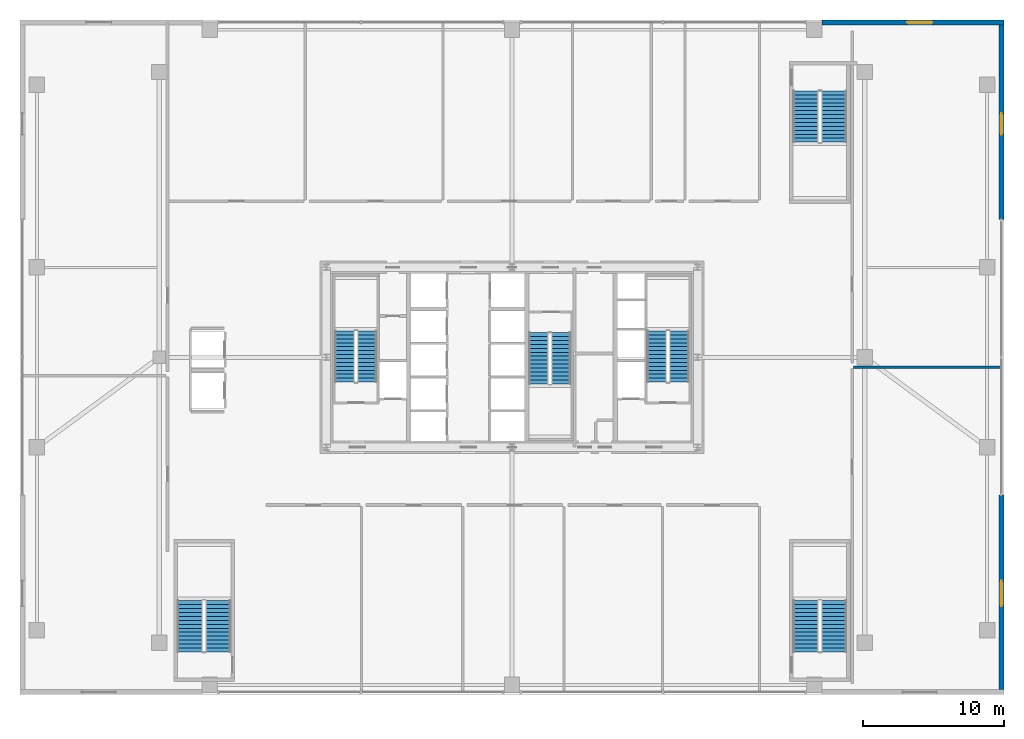
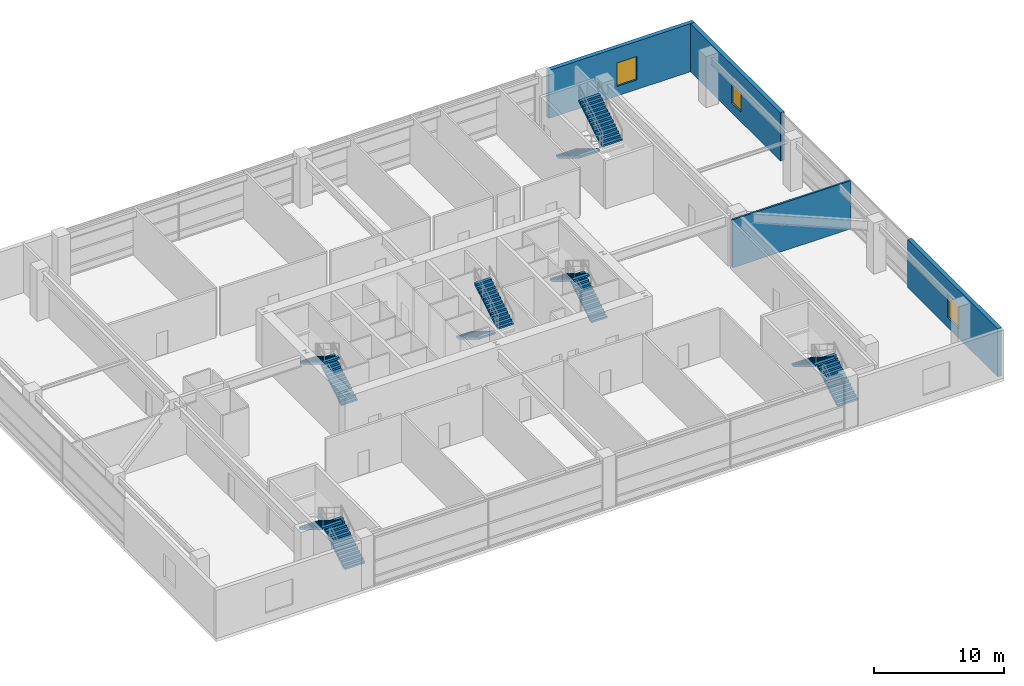
# One storey, part 36 of 39: 12 stair flights, 4 walls, 3 windows, 3 openings, 6 elements without a shape of their own.
"""IFC4 building model written with IfcOpenShell, lengths in metres."""

from ifc_helpers import new_model, si_unit, direction, frame, frame_2d, origin, place, context, subcontext, project, spatial, polyline, rectangle, outline, extrude, source, transform, mapped, material, layer, layer_set, type_object, element, fill, aggregate, save


model = new_model("IFC4")

# Units and contexts
model_context = context("Model", 3, precision=1e-05, world=origin(), true_north=direction((0.0, 1.0)))
body_context = subcontext(model_context, "Body", "Model", "MODEL_VIEW")
ifc_project = project(units=[si_unit("LENGTHUNIT", "METRE"), si_unit("AREAUNIT", "SQUARE_METRE"), si_unit("VOLUMEUNIT", "CUBIC_METRE"), si_unit("PLANEANGLEUNIT", "RADIAN"), si_unit("MASSUNIT", "GRAM", prefix="KILO"), si_unit("THERMODYNAMICTEMPERATUREUNIT", "KELVIN"), si_unit("POWERUNIT", "WATT")], contexts=[model_context])

# Site, building, storey
site_placement = place(None, origin())
site = spatial("IfcSite", under=ifc_project, at=site_placement, CompositionType="ELEMENT")
building_placement = place(site_placement, origin())
building = spatial("IfcBuilding", under=site, at=building_placement, Name="Yuzanri Waterfront Tower", CompositionType="ELEMENT")
storey_placement = place(building_placement, frame((0.0, 0.0, 15.0)))
storey = spatial("IfcBuildingStorey", under=building, at=storey_placement, Name="L04", CompositionType="ELEMENT", Elevation=15.0)

# Wall, opening, window
ifc_material_1 = material(Name="Honed Chongqing Dark Basalt Stone", Category="masonry")
ifc_layer_1 = layer(ifc_material_1, 0.360107421875)
ifc_layer_set_1 = layer_set([ifc_layer_1], Name="Honed Chongqing Dark Basalt Stone")
wall_type_1 = type_object("IfcWallType", Name="Honed Basalt Stone Masonry-Frame Spandrel Wall 360", PredefinedType="SOLIDWALL", material=ifc_layer_set_1)
wall_1_placement = place(storey_placement, frame((59.070068359375, 49.6201171875, 0.0), z_axis=(0.0, 0.0, 1.0), x_axis=(1.0, 0.0, 0.0)))
wall_1 = element("IfcWall", 1, at=wall_1_placement, inside=storey, type_object=wall_type_1, Name="L04 North-East Basalt Wall", PredefinedType="SOLIDWALL", context=body_context, shape_type="SweptSolid", body=[
    extrude(rectangle(XDim=12.929931640625, YDim=0.360107421875, at=frame_2d((6.46484375, 0.0))), origin(), (0.0, 0.0, 1.0), 4.52001953125),
])
opening_1_placement = place(wall_1_placement, frame((6.030029296875, 0.0, 0.89990234375)))
opening_1 = element("IfcOpeningElement", 2, at=opening_1_placement, cuts=wall_1, Name="Opening WN-01", PredefinedType="OPENING", context=body_context, shape_type="SweptSolid", body=[
    extrude(rectangle(XDim=1.800048828125, YDim=2.199951171875, at=frame_2d((0.89990234375, 1.10009765625))), frame((0.0, 0.19482421875, 0.0), z_axis=(0.0, -1.0, 0.0), x_axis=(1.0, 0.0, 0.0)), (0.0, 0.0, 1.0), 0.389892578125),
])
ifc_material_2 = material(Name="Double-Silver Low-E Insulated Glass", Category="glass")
window_type_1 = type_object("IfcWindowType", Name="Anodized Bronze Recessed Bronze Frame Double Casement Window 1800x2200", PartitioningType="SINGLE_PANEL", PredefinedType="WINDOW", material=ifc_material_2)
shared_shape_1 = source(origin(), body_context, "Body", "SweptSolid", [
    extrude(rectangle(XDim=1.800048828125, YDim=2.199951171875, at=frame_2d((0.89990234375, 1.10009765625))), frame((0.0, 0.030029296875, 0.0), z_axis=(0.0, -1.0, 0.0), x_axis=(1.0, 0.0, 0.0)), (0.0, 0.0, 1.0), 0.06005859375),
])
window_1_placement = place(opening_1_placement, origin())
window_1 = element("IfcWindow", 3, at=window_1_placement, inside=storey, type_object=window_type_1, Name="L04 NE Casement Window", OverallHeight=2.199951171875, OverallWidth=1.800048828125, PartitioningType="SINGLE_PANEL", PredefinedType="WINDOW", context=body_context, shape_type="MappedRepresentation", body=[
    mapped(shared_shape_1, transform((0.0, 0.0, 0.0), scale=1.0)),
])
fill(opening_1, window_1)

wall_2_placement = place(storey_placement, frame((71.820068359375, 2.159912109375, 0.0), z_axis=(0.0, 0.0, 1.0), x_axis=(0.0, 1.0, 0.0)))
wall_2 = element("IfcWall", 4, at=wall_2_placement, inside=storey, type_object=wall_type_1, Name="L04 E South Basalt Pier", PredefinedType="SOLIDWALL", context=body_context, shape_type="SweptSolid", body=[
    extrude(rectangle(XDim=13.840087890625, YDim=0.360107421875, at=frame_2d((6.919921875, 0.0))), origin(), (0.0, 0.0, 1.0), 4.52001953125),
])
opening_2_placement = place(wall_2_placement, frame((5.93994140625, 0.0, 0.89990234375)))
opening_2 = element("IfcOpeningElement", 5, at=opening_2_placement, cuts=wall_2, Name="Opening WN-01", PredefinedType="OPENING", context=body_context, shape_type="SweptSolid", body=[
    extrude(rectangle(XDim=1.800048828125, YDim=2.199951171875, at=frame_2d((0.89990234375, 1.10009765625))), frame((0.0, 0.19482421875, 0.0), z_axis=(0.0, -1.0, 0.0), x_axis=(1.0, 0.0, 0.0)), (0.0, 0.0, 1.0), 0.389892578125),
])
window_2_placement = place(opening_2_placement, origin())
window_2 = element("IfcWindow", 6, at=window_2_placement, inside=storey, type_object=window_type_1, Name="L04 ES Window", OverallHeight=2.199951171875, OverallWidth=1.800048828125, PartitioningType="SINGLE_PANEL", PredefinedType="WINDOW", context=body_context, shape_type="MappedRepresentation", body=[
    mapped(shared_shape_1, transform((0.0, 0.0, 0.0), scale=1.0)),
])
fill(opening_2, window_2)

wall_3_placement = place(storey_placement, frame((71.820068359375, 35.60009765625, 0.0), z_axis=(0.0, 0.0, 1.0), x_axis=(0.0, 1.0, 0.0)))
wall_3 = element("IfcWall", 7, at=wall_3_placement, inside=storey, type_object=wall_type_1, Name="L04 E North Basalt Pier", PredefinedType="SOLIDWALL", context=body_context, shape_type="SweptSolid", body=[
    extrude(rectangle(XDim=13.83984375, YDim=0.360107421875, at=frame_2d((6.919921875, 0.0))), origin(), (0.0, 0.0, 1.0), 4.52001953125),
])
opening_3_placement = place(wall_3_placement, frame((6.050048828125, 0.0, 0.89990234375)))
opening_3 = element("IfcOpeningElement", 8, at=opening_3_placement, cuts=wall_3, Name="Opening WN-04", PredefinedType="OPENING", context=body_context, shape_type="SweptSolid", body=[
    extrude(rectangle(XDim=1.5, YDim=1.800048828125, at=frame_2d((0.75, 0.89990234375))), frame((0.0, 0.19482421875, 0.0), z_axis=(0.0, -1.0, 0.0), x_axis=(1.0, 0.0, 0.0)), (0.0, 0.0, 1.0), 0.389892578125),
])
ifc_material_3 = material(Name="Double-Silver Low-E Insulated Glass", Category="glass")
window_type_2 = type_object("IfcWindowType", Name="Anodized Bronze Suite Operable Tilt-Turn Window 1500x1800", PartitioningType="SINGLE_PANEL", PredefinedType="WINDOW", material=ifc_material_3)
shared_shape_2 = source(origin(), body_context, "Body", "SweptSolid", [
    extrude(rectangle(XDim=1.5, YDim=1.800048828125, at=frame_2d((0.75, 0.89990234375))), frame((0.0, 0.030029296875, 0.0), z_axis=(0.0, -1.0, 0.0), x_axis=(1.0, 0.0, 0.0)), (0.0, 0.0, 1.0), 0.06005859375),
])
window_3_placement = place(opening_3_placement, origin())
window_3 = element("IfcWindow", 9, at=window_3_placement, inside=storey, type_object=window_type_2, Name="L04 EN Window", OverallHeight=1.800048828125, OverallWidth=1.5, PartitioningType="SINGLE_PANEL", PredefinedType="WINDOW", context=body_context, shape_type="MappedRepresentation", body=[
    mapped(shared_shape_2, transform((0.0, 0.0, 0.0), scale=1.0)),
])
fill(opening_3, window_3)

# Wall
ifc_material_4 = material(Name="Gypsum Fireboard Acoustic Stud Wall", Category="gypsum")
ifc_layer_2 = layer(ifc_material_4, 0.159912109375)
ifc_layer_set_2 = layer_set([ifc_layer_2], Name="Gypsum Fireboard Acoustic Stud Wall")
wall_type_2 = type_object("IfcWallType", Name="Acoustic Suite Demising Partition 160", PredefinedType="PARTITIONING", material=ifc_layer_set_2)
shared_shape_3 = source(origin(), body_context, "Body", "SweptSolid", [
    extrude(rectangle(XDim=10.52001953125, YDim=0.159912109375, at=frame_2d((5.260009765625, 0.0))), origin(), (0.0, 0.0, 1.0), 4.52001953125),
])
wall_4_placement = place(storey_placement, frame((61.300048828125, 25.10009765625, 0.0), z_axis=(0.0, 0.0, 1.0), x_axis=(1.0, 0.0, 0.0)))
element("IfcWall", 10, at=wall_4_placement, inside=storey, type_object=wall_type_2, Name="L04-033 North Partition", PredefinedType="PARTITIONING", context=body_context, shape_type="MappedRepresentation", body=[
    mapped(shared_shape_3, transform((0.0, 0.0, 0.0), scale=1.0)),
])

# Stair, stair flights
ifc_material_5 = material(Name="Concrete C40", Category="concrete")
stair_type_1 = type_object("IfcStairType", Name="Concrete C40 Core Dogleg Exit Stair", PredefinedType="HALF_TURN_STAIR", material=ifc_material_5)
stair_1_placement = place(storey_placement, origin())
stair_1 = element("IfcStair", 11, at=stair_1_placement, inside=storey, type_object=stair_type_1, Name="L04 Smoke-Proof Core Stair ST-01", PredefinedType="HALF_TURN_STAIR")
ifc_material_6 = material(Name="Concrete C40", Category="concrete")
stair_flight_type_1 = type_object("IfcStairFlightType", Name="Concrete C40 Tall-Storey Precast Stair Flight 1380", PredefinedType="STRAIGHT", material=ifc_material_6)
shared_shape_4 = source(origin(), body_context, "Body", "SweptSolid", [
    extrude(outline(polyline([(0.0, 0.0), (0.0, 0.17138671875), (0.280029296875, 0.17138671875), (0.280029296875, 0.3427734375), (0.56005859375, 0.3427734375), (0.56005859375, 0.514404296875), (0.840087890625, 0.514404296875), (0.840087890625, 0.685791015625), (1.1201171875, 0.685791015625), (1.1201171875, 0.857177734375), (1.39990234375, 0.857177734375), (1.39990234375, 1.028564453125), (1.679931640625, 1.028564453125), (1.679931640625, 1.199951171875), (1.9599609375, 1.199951171875), (1.9599609375, 1.371337890625), (2.239990234375, 1.371337890625), (2.239990234375, 1.54296875), (2.52001953125, 1.54296875), (2.52001953125, 1.71435546875), (2.800048828125, 1.71435546875), (2.800048828125, 1.8857421875), (3.080078125, 1.8857421875), (3.080078125, 2.05712890625), (3.360107421875, 2.05712890625), (3.360107421875, 2.228515625), (3.639892578125, 2.228515625), (3.639892578125, 2.39990234375), (3.639892578125, 2.052734375), (0.287109375, 0.0), (0.0, 0.0)])), frame((0.0, 0.699951171875, 0.0), z_axis=(0.0, -1.0, 0.0), x_axis=(1.0, 0.0, 0.0)), (0.0, 0.0, 1.0), 1.39990234375),
])
stair_flight_1_placement = place(storey_placement, frame((26.699951171875, 24.0400390625, 0.0), z_axis=(0.0, 0.0, 1.0), x_axis=(0.0, 1.0, 0.0)))
stair_flight_1 = element("IfcStairFlight", 12, at=stair_flight_1_placement, type_object=stair_flight_type_1, Name="ST-01 flight 1", NumberOfRisers=14, NumberOfTreads=13, PredefinedType="STRAIGHT", RiserHeight=0.171428571, TreadLength=0.28, context=body_context, shape_type="MappedRepresentation", body=[
    mapped(shared_shape_4, transform((0.0, 0.0, 0.0), scale=1.0)),
])
stair_flight_2_placement = place(storey_placement, frame((25.10009765625, 27.679931640625, 2.39990234375), z_axis=(0.0, 0.0, 1.0), x_axis=(0.0, -1.0, 0.0)))
stair_flight_2 = element("IfcStairFlight", 13, at=stair_flight_2_placement, type_object=stair_flight_type_1, Name="ST-01 flight 2", NumberOfRisers=14, NumberOfTreads=13, PredefinedType="STRAIGHT", RiserHeight=0.171428571, TreadLength=0.28, context=body_context, shape_type="MappedRepresentation", body=[
    mapped(shared_shape_4, transform((0.0, 0.0, 0.0), scale=1.0)),
])
aggregate(stair_1, [stair_flight_1, stair_flight_2])

stair_2_placement = place(storey_placement, origin())
stair_2 = element("IfcStair", 14, at=stair_2_placement, inside=storey, type_object=stair_type_1, Name="L04 Smoke-Proof Core Stair ST-02", PredefinedType="HALF_TURN_STAIR")
stair_flight_3_placement = place(storey_placement, frame((48.89990234375, 24.0400390625, 0.0), z_axis=(0.0, 0.0, 1.0), x_axis=(0.0, 1.0, 0.0)))
stair_flight_3 = element("IfcStairFlight", 15, at=stair_flight_3_placement, type_object=stair_flight_type_1, Name="ST-02 flight 1", NumberOfRisers=14, NumberOfTreads=13, PredefinedType="STRAIGHT", RiserHeight=0.171428571, TreadLength=0.28, context=body_context, shape_type="MappedRepresentation", body=[
    mapped(shared_shape_4, transform((0.0, 0.0, 0.0), scale=1.0)),
])
stair_flight_4_placement = place(storey_placement, frame((47.300048828125, 27.679931640625, 2.39990234375), z_axis=(0.0, 0.0, 1.0), x_axis=(0.0, -1.0, 0.0)))
stair_flight_4 = element("IfcStairFlight", 16, at=stair_flight_4_placement, type_object=stair_flight_type_1, Name="ST-02 flight 2", NumberOfRisers=14, NumberOfTreads=13, PredefinedType="STRAIGHT", RiserHeight=0.171428571, TreadLength=0.28, context=body_context, shape_type="MappedRepresentation", body=[
    mapped(shared_shape_4, transform((0.0, 0.0, 0.0), scale=1.0)),
])
aggregate(stair_2, [stair_flight_3, stair_flight_4])

stair_3_placement = place(storey_placement, origin())
stair_3 = element("IfcStair", 17, at=stair_3_placement, inside=storey, type_object=stair_type_1, Name="L04 Smoke-Proof Core Stair ST-03", PredefinedType="HALF_TURN_STAIR")
stair_flight_5_placement = place(storey_placement, frame((38.89990234375, 27.56005859375, 0.0), z_axis=(0.0, 0.0, 1.0), x_axis=(0.0, -1.0, 0.0)))
stair_flight_5 = element("IfcStairFlight", 18, at=stair_flight_5_placement, type_object=stair_flight_type_1, Name="ST-03 flight 1", NumberOfRisers=14, NumberOfTreads=13, PredefinedType="STRAIGHT", RiserHeight=0.171428571, TreadLength=0.28, context=body_context, shape_type="MappedRepresentation", body=[
    mapped(shared_shape_4, transform((0.0, 0.0, 0.0), scale=1.0)),
])
stair_flight_6_placement = place(storey_placement, frame((40.5, 23.919921875, 2.39990234375), z_axis=(0.0, 0.0, 1.0), x_axis=(0.0, 1.0, 0.0)))
stair_flight_6 = element("IfcStairFlight", 19, at=stair_flight_6_placement, type_object=stair_flight_type_1, Name="ST-03 flight 2", NumberOfRisers=14, NumberOfTreads=13, PredefinedType="STRAIGHT", RiserHeight=0.171428571, TreadLength=0.28, context=body_context, shape_type="MappedRepresentation", body=[
    mapped(shared_shape_4, transform((0.0, 0.0, 0.0), scale=1.0)),
])
aggregate(stair_3, [stair_flight_5, stair_flight_6])

ifc_material_7 = material(Name="Concrete C40", Category="concrete")
stair_type_2 = type_object("IfcStairType", Name="Concrete C40 Podium Dogleg Exit Stair", PredefinedType="HALF_TURN_STAIR", material=ifc_material_7)
stair_4_placement = place(storey_placement, origin())
stair_4 = element("IfcStair", 20, at=stair_4_placement, inside=storey, type_object=stair_type_2, Name="L04 Podium Public Exit Stair PST-01", PredefinedType="HALF_TURN_STAIR")
ifc_material_8 = material(Name="Concrete C40", Category="concrete")
stair_flight_type_2 = type_object("IfcStairFlightType", Name="Concrete C40 Precast Podium Stair Flight 1400", PredefinedType="STRAIGHT", material=ifc_material_8)
shared_shape_5 = source(origin(), body_context, "Body", "SweptSolid", [
    extrude(outline(polyline([(0.0, 0.0), (0.0, 0.17138671875), (0.280029296875, 0.17138671875), (0.280029296875, 0.3427734375), (0.56005859375, 0.3427734375), (0.56005859375, 0.514404296875), (0.840087890625, 0.514404296875), (0.840087890625, 0.685791015625), (1.1201171875, 0.685791015625), (1.1201171875, 0.857177734375), (1.39990234375, 0.857177734375), (1.39990234375, 1.028564453125), (1.679931640625, 1.028564453125), (1.679931640625, 1.199951171875), (1.9599609375, 1.199951171875), (1.9599609375, 1.371337890625), (2.239990234375, 1.371337890625), (2.239990234375, 1.54296875), (2.52001953125, 1.54296875), (2.52001953125, 1.71435546875), (2.800048828125, 1.71435546875), (2.800048828125, 1.8857421875), (3.080078125, 1.8857421875), (3.080078125, 2.05712890625), (3.360107421875, 2.05712890625), (3.360107421875, 2.228515625), (3.639892578125, 2.228515625), (3.639892578125, 2.39990234375), (3.639892578125, 2.052734375), (0.287109375, 0.0), (0.0, 0.0)])), frame((0.0, 0.89990234375, 0.0), z_axis=(0.0, -1.0, 0.0), x_axis=(1.0, 0.0, 0.0)), (0.0, 0.0, 1.0), 1.800048828125),
])
stair_flight_7_placement = place(storey_placement, frame((16.10009765625, 4.85009765625, 0.0), z_axis=(0.0, 0.0, 1.0), x_axis=(0.0, 1.0, 0.0)))
stair_flight_7 = element("IfcStairFlight", 21, at=stair_flight_7_placement, type_object=stair_flight_type_2, Name="PST-01 flight 1", NumberOfRisers=14, NumberOfTreads=13, PredefinedType="STRAIGHT", RiserHeight=0.171428571, TreadLength=0.28, context=body_context, shape_type="MappedRepresentation", body=[
    mapped(shared_shape_5, transform((0.0, 0.0, 0.0), scale=1.0)),
])
stair_flight_8_placement = place(storey_placement, frame((14.10009765625, 8.489990234375, 2.39990234375), z_axis=(0.0, 0.0, 1.0), x_axis=(0.0, -1.0, 0.0)))
stair_flight_8 = element("IfcStairFlight", 22, at=stair_flight_8_placement, type_object=stair_flight_type_2, Name="PST-01 flight 2", NumberOfRisers=14, NumberOfTreads=13, PredefinedType="STRAIGHT", RiserHeight=0.171428571, TreadLength=0.28, context=body_context, shape_type="MappedRepresentation", body=[
    mapped(shared_shape_5, transform((0.0, 0.0, 0.0), scale=1.0)),
])
aggregate(stair_4, [stair_flight_7, stair_flight_8])

stair_5_placement = place(storey_placement, origin())
stair_5 = element("IfcStair", 23, at=stair_5_placement, inside=storey, type_object=stair_type_2, Name="L04 Podium Public Exit Stair PST-02", PredefinedType="HALF_TURN_STAIR")
stair_flight_9_placement = place(storey_placement, frame((59.89990234375, 4.85009765625, 0.0), z_axis=(0.0, 0.0, 1.0), x_axis=(0.0, 1.0, 0.0)))
stair_flight_9 = element("IfcStairFlight", 24, at=stair_flight_9_placement, type_object=stair_flight_type_2, Name="PST-02 flight 1", NumberOfRisers=14, NumberOfTreads=13, PredefinedType="STRAIGHT", RiserHeight=0.171428571, TreadLength=0.28, context=body_context, shape_type="MappedRepresentation", body=[
    mapped(shared_shape_5, transform((0.0, 0.0, 0.0), scale=1.0)),
])
stair_flight_10_placement = place(storey_placement, frame((57.89990234375, 8.489990234375, 2.39990234375), z_axis=(0.0, 0.0, 1.0), x_axis=(0.0, -1.0, 0.0)))
stair_flight_10 = element("IfcStairFlight", 25, at=stair_flight_10_placement, type_object=stair_flight_type_2, Name="PST-02 flight 2", NumberOfRisers=14, NumberOfTreads=13, PredefinedType="STRAIGHT", RiserHeight=0.171428571, TreadLength=0.28, context=body_context, shape_type="MappedRepresentation", body=[
    mapped(shared_shape_5, transform((0.0, 0.0, 0.0), scale=1.0)),
])
aggregate(stair_5, [stair_flight_9, stair_flight_10])

stair_6_placement = place(storey_placement, origin())
stair_6 = element("IfcStair", 26, at=stair_6_placement, inside=storey, type_object=stair_type_2, Name="L04 Podium Public Exit Stair PST-03", PredefinedType="HALF_TURN_STAIR")
stair_flight_11_placement = place(storey_placement, frame((57.89990234375, 44.75, 0.0), z_axis=(0.0, 0.0, 1.0), x_axis=(0.0, -1.0, 0.0)))
stair_flight_11 = element("IfcStairFlight", 27, at=stair_flight_11_placement, type_object=stair_flight_type_2, Name="PST-03 flight 1", NumberOfRisers=14, NumberOfTreads=13, PredefinedType="STRAIGHT", RiserHeight=0.171428571, TreadLength=0.28, context=body_context, shape_type="MappedRepresentation", body=[
    mapped(shared_shape_5, transform((0.0, 0.0, 0.0), scale=1.0)),
])
stair_flight_12_placement = place(storey_placement, frame((59.89990234375, 41.110107421875, 2.39990234375), z_axis=(0.0, 0.0, 1.0), x_axis=(0.0, 1.0, 0.0)))
stair_flight_12 = element("IfcStairFlight", 28, at=stair_flight_12_placement, type_object=stair_flight_type_2, Name="PST-03 flight 2", NumberOfRisers=14, NumberOfTreads=13, PredefinedType="STRAIGHT", RiserHeight=0.171428571, TreadLength=0.28, context=body_context, shape_type="MappedRepresentation", body=[
    mapped(shared_shape_5, transform((0.0, 0.0, 0.0), scale=1.0)),
])
aggregate(stair_6, [stair_flight_11, stair_flight_12])

save(model, "model.ifc")
